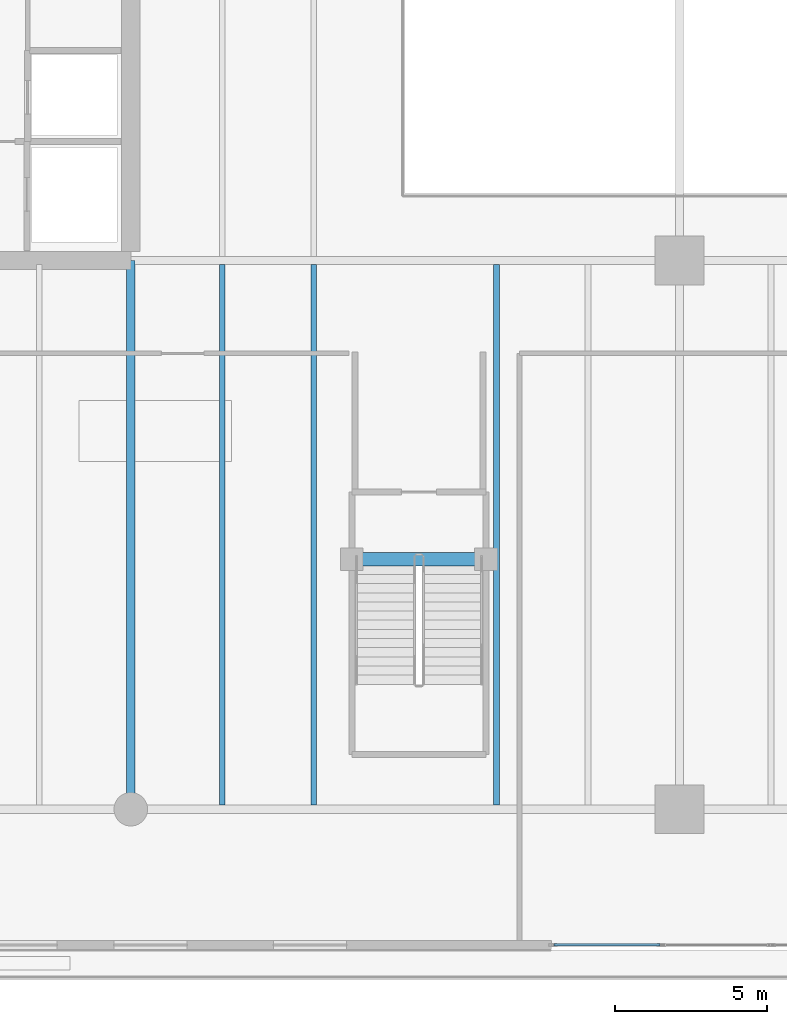
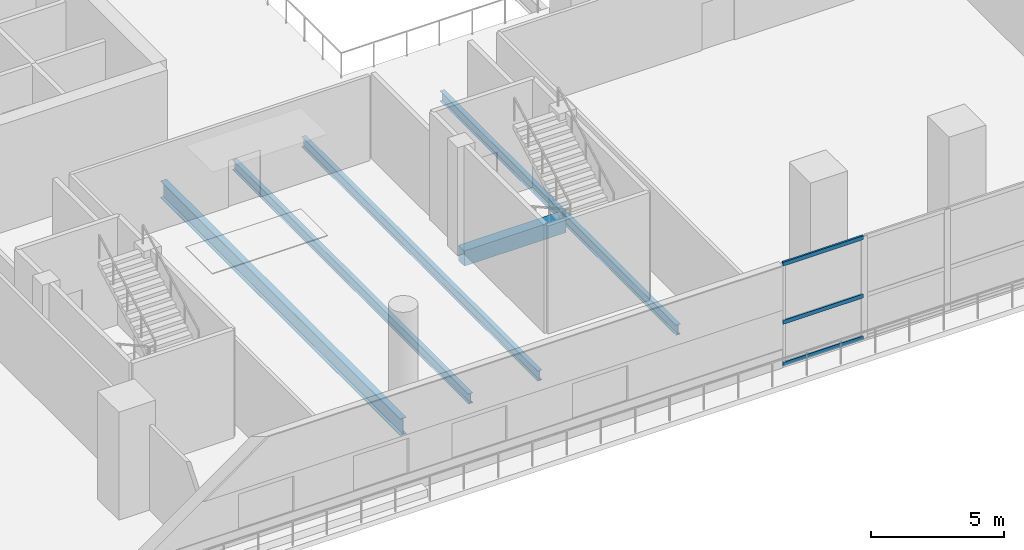
# One storey, part 3 of 27: 5 beams, 3 members, 1 element without a shape of its own.
"""IFC4 building model written with IfcOpenShell, lengths in metres."""

from ifc_helpers import new_model, si_unit, direction, frame, origin, origin_2d, place, context, subcontext, project, spatial, rectangle, hollow_rectangle, i_section, extrude, material, layer, layer_set, material_profile, profile_set, type_object, element, aggregate, save


model = new_model("IFC4")

# Units and contexts
model_context = context("Model", 3, precision=1e-05, world=origin(), true_north=direction((0.0, 1.0)))
body_context = subcontext(model_context, "Body", "Model", "MODEL_VIEW")
ifc_project = project(units=[si_unit("LENGTHUNIT", "METRE"), si_unit("AREAUNIT", "SQUARE_METRE"), si_unit("VOLUMEUNIT", "CUBIC_METRE"), si_unit("PLANEANGLEUNIT", "RADIAN"), si_unit("MASSUNIT", "GRAM", prefix="KILO")], contexts=[model_context])

# Site, building, storey
site_placement = place(None, origin())
site = spatial("IfcSite", under=ifc_project, at=site_placement, CompositionType="ELEMENT")
building_placement = place(site_placement, origin())
building = spatial("IfcBuilding", under=site, at=building_placement, Name="Tanjung Sevakor Pilgrim Tower", CompositionType="ELEMENT")
storey_placement = place(building_placement, frame((0.0, 0.0, 9.89990234375)))
storey = spatial("IfcBuildingStorey", under=building, at=storey_placement, Name="L03", CompositionType="ELEMENT", Elevation=9.89990234375)

# Beams
ifc_material_1 = material(Name="Steel S355J2", Category="steel")
ifc_material_profile_1 = material_profile(ifc_material_1, i_section(OverallWidth=0.26806640625, OverallDepth=0.769775390625, WebThickness=0.015625, FlangeThickness=0.025390625, FilletRadius=0.0166015625, at=origin_2d()))
ifc_profile_set_1 = profile_set([ifc_material_profile_1], Name="Steel S355J2")
beam_type_1 = type_object("IfcBeamType", Name="BM-B-G1-UB_762x267x197", PredefinedType="BEAM", material=ifc_profile_set_1)
beam_1_placement = place(storey_placement, frame((36.0, 6.60009765625, -0.664794921875), z_axis=(0.0, 1.0, 0.0), x_axis=(-1.0, 0.0, 0.0)))
element("IfcBeam", 1, at=beam_1_placement, inside=storey, type_object=beam_type_1, Name="L03 Podium Girder NS X36-1", PredefinedType="BEAM", context=body_context, shape_type="SweptSolid", body=[
    extrude(i_section(OverallWidth=0.26806640625, OverallDepth=0.769775390625, WebThickness=0.015625, FlangeThickness=0.025390625, FilletRadius=0.0166015625, at=origin_2d()), origin(), (0.0, 0.0, 1.0), 18.0),
])
ifc_material_2 = material(Name="Steel S355J2", Category="steel")
ifc_material_profile_2 = material_profile(ifc_material_2, i_section(OverallWidth=0.19287109375, OverallDepth=0.46728515625, WebThickness=0.011474609375, FlangeThickness=0.01953125, FilletRadius=0.01025390625, at=origin_2d()))
ifc_profile_set_2 = profile_set([ifc_material_profile_2], Name="Steel S355J2")
beam_type_2 = type_object("IfcBeamType", Name="BM-B-J1-UB_457x191x98", PredefinedType="JOIST", material=ifc_profile_set_2)
for number, where, z_axis, x_axis, name in (
    (2, (39.0, 6.7333984375, -0.513427734375), (0.0, 1.0, 0.0), (-1.0, 0.0, 0.0), "L03 Secondary Joist 014"),
    (3, (42.0, 6.7333984375, -0.513427734375), (0.0, 1.0, 0.0), (-1.0, 0.0, 0.0), "L03 Secondary Joist 017"),
    (4, (48.0, 6.7333984375, -0.513427734375), (0.0, 1.0, 0.0), (-1.0, 0.0, 0.0), "L03 Secondary Joist 021"),
):
    element("IfcBeam", number, at=place(storey_placement, frame(where, z_axis=z_axis, x_axis=x_axis)), inside=storey, type_object=beam_type_2, Name=name, PredefinedType="JOIST", context=body_context, shape_type="SweptSolid", body=[
        extrude(i_section(OverallWidth=0.19287109375, OverallDepth=0.46728515625, WebThickness=0.011474609375, FlangeThickness=0.01953125, FilletRadius=0.01025390625, at=origin_2d()), origin(), (0.0, 0.0, 1.0), 17.7333984375),
    ])
ifc_material_3 = material(Name="Concrete C60/75", Category="concrete")
ifc_material_profile_3 = material_profile(ifc_material_3, rectangle(XDim=0.449951171875, YDim=0.699951171875, at=origin_2d()))
ifc_profile_set_3 = profile_set([ifc_material_profile_3], Name="Concrete C60/75")
beam_type_3 = type_object("IfcBeamType", Name="BM-B-LN3-RC-BM_450x700", PredefinedType="LINTEL", material=ifc_profile_set_3)
beam_2_placement = place(storey_placement, frame((43.25, 14.800048828125, -0.349853515625), z_axis=(1.0, 0.0, 0.0), x_axis=(0.0, 1.0, 0.0)))
element("IfcBeam", 5, at=beam_2_placement, inside=storey, type_object=beam_type_3, Name="L03 PS-3 Stair Threshold Beam", PredefinedType="LINTEL", context=body_context, shape_type="SweptSolid", body=[
    extrude(rectangle(XDim=0.449951171875, YDim=0.699951171875, at=origin_2d()), origin(), (0.0, 0.0, 1.0), 4.39990234375),
])

# Curtain wall, members
ifc_material_4 = material(Name="Aluminium 6063-T6 and Low-E Glass", Category="aluminium")
ifc_layer = layer(ifc_material_4, 0.179931640625)
ifc_layer_set = layer_set([ifc_layer], Name="CW-SYS-POD")
curtain_wall_type = type_object("IfcCurtainWallType", Name="CW-SYS-POD", PredefinedType="NOTDEFINED", material=ifc_layer_set)
curtain_wall_placement = place(storey_placement, origin())
curtain_wall = element("IfcCurtainWall", 6, at=curtain_wall_placement, inside=storey, type_object=curtain_wall_type, Name="L03 Curtain Wall CW-POD-L03-S", PredefinedType="NOTDEFINED")
ifc_material_5 = material(Name="Aluminium 6063-T6", Category="aluminium")
ifc_material_profile_4 = material_profile(ifc_material_5, hollow_rectangle(XDim=0.080078125, YDim=0.179931640625, WallThickness=0.0048828125, at=origin_2d()))
ifc_profile_set_4 = profile_set([ifc_material_profile_4], Name="Aluminium 6063-T6")
member_type = type_object("IfcMemberType", Name="TYPE-CWT-3", PredefinedType="USERDEFINED", material=ifc_profile_set_4)
member_1_placement = place(storey_placement, frame((49.8798828125, 2.14990234375, 0.0400390625), z_axis=(1.0, 0.0, 0.0), x_axis=(0.0, 1.0, 0.0)))
member_1 = element("IfcMember", 7, at=member_1_placement, type_object=member_type, Name="CW-POD transom 1.1", ObjectType="TRANSOM", PredefinedType="USERDEFINED", context=body_context, shape_type="SweptSolid", body=[
    extrude(hollow_rectangle(XDim=0.080078125, YDim=0.179931640625, WallThickness=0.0048828125, at=origin_2d()), origin(), (0.0, 0.0, 1.0), 3.480224609375),
])
member_2_placement = place(storey_placement, frame((49.8798828125, 2.14990234375, 1.96142578125), z_axis=(1.0, 0.0, 0.0), x_axis=(0.0, 1.0, 0.0)))
member_2 = element("IfcMember", 8, at=member_2_placement, type_object=member_type, Name="CW-POD transom 1.2", ObjectType="TRANSOM", PredefinedType="USERDEFINED", context=body_context, shape_type="SweptSolid", body=[
    extrude(hollow_rectangle(XDim=0.080078125, YDim=0.179931640625, WallThickness=0.0048828125, at=origin_2d()), origin(), (0.0, 0.0, 1.0), 3.480224609375),
])
member_3_placement = place(storey_placement, frame((49.8798828125, 2.14990234375, 4.630126953125), z_axis=(1.0, 0.0, 0.0), x_axis=(0.0, 1.0, 0.0)))
member_3 = element("IfcMember", 9, at=member_3_placement, type_object=member_type, Name="CW-POD transom 1.3", ObjectType="TRANSOM", PredefinedType="USERDEFINED", context=body_context, shape_type="SweptSolid", body=[
    extrude(hollow_rectangle(XDim=0.080078125, YDim=0.179931640625, WallThickness=0.0048828125, at=origin_2d()), origin(), (0.0, 0.0, 1.0), 3.480224609375),
])
aggregate(curtain_wall, [member_1, member_2, member_3])

save(model, "model.ifc")
